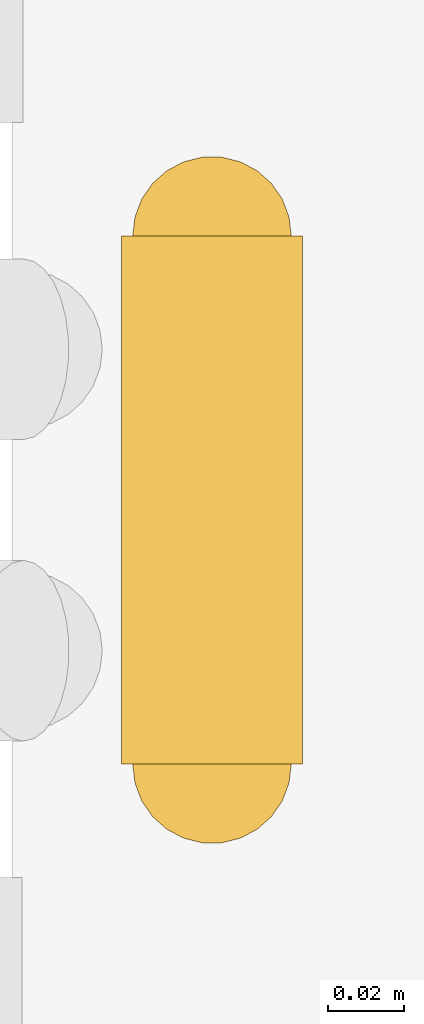
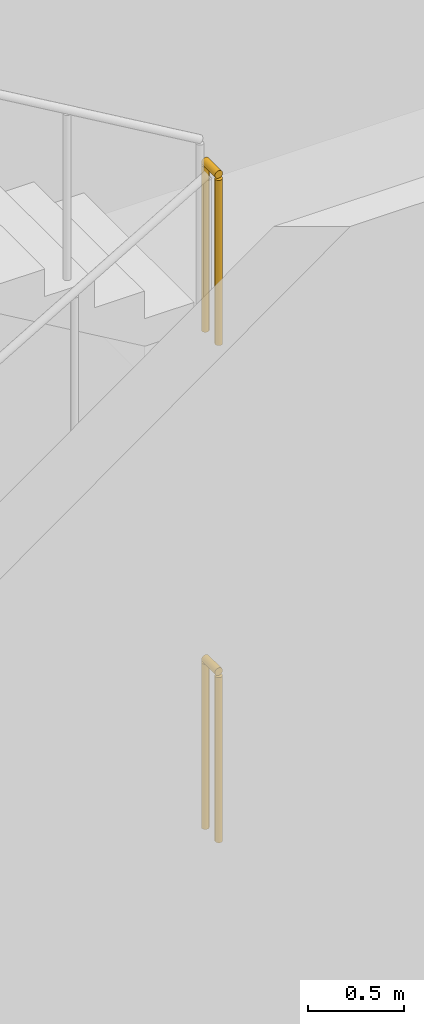
# One storey, part 103 of 114: 2 railings.
"""IFC4 building model written with IfcOpenShell, lengths in metres."""

import ifcopenshell
import ifcopenshell.guid

model = None  # the IFC model being written
_history = None  # IfcOwnerHistory: only IFC2X3 demands one
_inside = {}  # id of a spatial element -> (the spatial element, [elements in it])
_under = {}  # id of a project, library or spatial element -> (it, [spatial elements below it])
_declared = {}  # id of a project -> (the project, [libraries it declares])
_typed = {}  # id of a type object -> (the type object, [elements of that type])
_made_of = {}  # id of a material, layer set ... -> (it, [elements and type objects made of it])


def new_model(schema):
    """Start an empty IFC model of exactly this schema.

    Asked for "IFC4X3", IfcOpenShell would pick the latest addendum, in which some entities
    have other attributes; the version numbers below select the first issue.
    IFC2X3 requires an IfcOwnerHistory on every rooted entity: one is made here for all.
    """
    global model, _history
    if schema == "IFC4X3":
        model = ifcopenshell.file(schema_version=(4, 3, 0, 0))
    else:
        model = ifcopenshell.file(schema=schema)
    _inside.clear()
    _under.clear()
    _declared.clear()
    _typed.clear()
    _made_of.clear()
    _history = None
    if model.schema == "IFC2X3":
        org = make("IfcOrganization", Name="unknown")
        user = make(
            "IfcPersonAndOrganization",
            ThePerson=make("IfcPerson", FamilyName="unknown"),
            TheOrganization=org,
        )
        app = make(
            "IfcApplication",
            ApplicationDeveloper=org,
            Version="unknown",
            ApplicationFullName="unknown",
            ApplicationIdentifier="unknown",
        )
        _history = make(
            "IfcOwnerHistory",
            OwningUser=user,
            OwningApplication=app,
            ChangeAction="ADDED",
            CreationDate=0,
        )
    return model


def make(cls, **values):
    """One entity of the class cls with the attributes given. An attribute that is None is left unset."""
    return model.create_entity(
        cls, **{name: value for name, value in values.items() if value is not None}
    )


def rooted(cls, **values):
    """An entity with a GlobalId (a new one), such as an element, a storey or a relation."""
    return make(cls, GlobalId=ifcopenshell.guid.new(), OwnerHistory=_history, **values)


def si_unit(unit_type, name, prefix=None):
    """IfcSIUnit, for example si_unit("LENGTHUNIT", "METRE", prefix="MILLI")."""
    return make("IfcSIUnit", UnitType=unit_type, Prefix=prefix, Name=name)


def assignment(units):
    """IfcUnitAssignment: the units of a project."""
    return None if units is None else make("IfcUnitAssignment", Units=units)


def point(xyz):
    """IfcCartesianPoint."""
    return None if xyz is None else make("IfcCartesianPoint", Coordinates=xyz)


def direction(xyz):
    """IfcDirection."""
    return None if xyz is None else make("IfcDirection", DirectionRatios=xyz)


def frame(location, z_axis=None, x_axis=None):
    """IfcAxis2Placement3D, a coordinate frame: its origin and axes. An axis left out is left unset."""
    return make(
        "IfcAxis2Placement3D",
        Location=point(location),
        Axis=direction(z_axis),
        RefDirection=direction(x_axis),
    )


def frame_2d(location, x_axis=None):
    """IfcAxis2Placement2D, a coordinate frame in the plane: its origin and x axis."""
    return make(
        "IfcAxis2Placement2D", Location=point(location), RefDirection=direction(x_axis)
    )


def origin():
    """The frame at (0, 0, 0) with its axes left unset."""
    return frame((0.0, 0.0, 0.0))


def origin_2d():
    """The frame at (0, 0) in the plane with its x axis left unset."""
    return frame_2d((0.0, 0.0))


def place(relative_to, where):
    """IfcLocalPlacement: puts the frame where relative to a parent placement (None: the world)."""
    return make(
        "IfcLocalPlacement", PlacementRelTo=relative_to, RelativePlacement=where
    )


def context(
    kind, dimensions, precision=None, world=None, true_north=None, identifier=None
):
    """IfcGeometricRepresentationContext, for example the 3D "Model" context."""
    return make(
        "IfcGeometricRepresentationContext",
        ContextIdentifier=identifier,
        ContextType=kind,
        CoordinateSpaceDimension=dimensions,
        Precision=precision,
        WorldCoordinateSystem=world,
        TrueNorth=true_north,
    )


def subcontext(parent, identifier, kind, view, scale=None):
    """IfcGeometricRepresentationSubContext, for example "Body" below "Model"."""
    return make(
        "IfcGeometricRepresentationSubContext",
        ContextIdentifier=identifier,
        ContextType=kind,
        ParentContext=parent,
        TargetScale=scale,
        TargetView=view,
    )


def project(units=None, contexts=None):
    """IfcProject with its units and contexts."""
    return rooted(
        "IfcProject",
        Name="project",
        RepresentationContexts=contexts,
        UnitsInContext=assignment(units),
    )


def spatial(cls, under=None, at=None, **own):
    """A site, building, storey or space (cls), placed at a placement, below another one or the project."""
    s = rooted(cls, ObjectPlacement=at, **own)
    if under is not None:
        _under.setdefault(under.id(), (under, []))[1].append(s)
    return s


def profile(cls, at=None, kind="AREA", **sizes):
    """A parametric profile (cls). Its sizes go by their IFC names, for example OverallWidth=200.0."""
    return make(cls, ProfileType=kind, Position=at, **sizes)


def circle(**sizes):
    """IfcCircleProfileDef."""
    return profile("IfcCircleProfileDef", **sizes)


def extrude(swept, where, along, depth):
    """IfcExtrudedAreaSolid: the profile swept, set in the frame where, extruded along a direction by depth."""
    return make(
        "IfcExtrudedAreaSolid",
        SweptArea=swept,
        Position=where,
        ExtrudedDirection=direction(along),
        Depth=depth,
    )


def shape(context_of_items, identifier, shape_type, items):
    """IfcShapeRepresentation: the items that make up one representation, for example the "Body"."""
    return make(
        "IfcShapeRepresentation",
        ContextOfItems=context_of_items,
        RepresentationIdentifier=identifier,
        RepresentationType=shape_type,
        Items=items,
    )


def material(Name=None, Category=None):
    """IfcMaterial."""
    return make("IfcMaterial", Name=Name, Category=Category)


def made_of(thing, what):
    """Note that an element or type object is made of a material, layer set ...; save() writes the relation."""
    if what is not None:
        _made_of.setdefault(what.id(), (what, []))[1].append(thing)
    return thing


def type_object(cls, material=None, **own):
    """A type object (cls), such as IfcWallType, which elements share."""
    return made_of(rooted(cls, **own), material)


def element(
    cls,
    number,
    at=None,
    inside=None,
    cuts=None,
    type_object=None,
    material=None,
    context=None,
    identifier="Body",
    shape_type=None,
    held_by="IfcProductDefinitionShape",
    body=None,
    shapes=None,
    **own,
):
    """One element of the class cls, such as IfcWall. Its Tag is "e" and its number.

    at: its placement. inside: the storey or other place that contains it. cuts: it is an
    opening in that element (IfcRelVoidsElement). A single representation is given by context,
    identifier, shape_type and body (its items); several are given by shapes. held_by: the class
    of the entity that holds the representations. save() writes the other relations.
    """
    e = rooted(cls, Tag="e%d" % number, ObjectPlacement=at, **own)
    if body is not None:
        shapes = [shape(context, identifier, shape_type, body)]
    if shapes is not None:
        e.Representation = make(held_by, Representations=shapes)
    if inside is not None:
        _inside.setdefault(inside.id(), (inside, []))[1].append(e)
    if cuts is not None:
        rooted(
            "IfcRelVoidsElement", RelatingBuildingElement=cuts, RelatedOpeningElement=e
        )
    if type_object is not None:
        _typed.setdefault(type_object.id(), (type_object, []))[1].append(e)
    return made_of(e, material)


def aggregate(whole, parts):
    """IfcRelAggregates: a whole, such as a stair, and the parts it consists of."""
    return rooted("IfcRelAggregates", RelatingObject=whole, RelatedObjects=parts)


def save(model, path):
    """Write the relations noted so far, then the file.

    IfcRelAggregates (storeys below a building ...), IfcRelContainedInSpatialStructure (elements
    in a storey), IfcRelDefinesByType, IfcRelAssociatesMaterial and IfcRelDeclares: one each for
    every whole, place, type object, material and project.
    """
    for whole, parts in _under.values():
        aggregate(whole, parts)
    for where, things in _inside.values():
        rooted(
            "IfcRelContainedInSpatialStructure",
            RelatedElements=things,
            RelatingStructure=where,
        )
    for kind, things in _typed.values():
        rooted("IfcRelDefinesByType", RelatedObjects=things, RelatingType=kind)
    for what, things in _made_of.values():
        rooted("IfcRelAssociatesMaterial", RelatedObjects=things, RelatingMaterial=what)
    for by, libraries in _declared.values():
        rooted("IfcRelDeclares", RelatingContext=by, RelatedDefinitions=libraries)
    model.write(path)


model = new_model("IFC4")

# Units and contexts
model_context = context("Model", 3, precision=1e-05, world=origin(), true_north=direction((0.0, 1.0)))
body_context = subcontext(model_context, "Body", "Model", "MODEL_VIEW")
ifc_project = project(units=[si_unit("LENGTHUNIT", "METRE"), si_unit("AREAUNIT", "SQUARE_METRE"), si_unit("VOLUMEUNIT", "CUBIC_METRE"), si_unit("PLANEANGLEUNIT", "RADIAN"), si_unit("MASSUNIT", "GRAM", prefix="KILO")], contexts=[model_context])

# Site, building, storey
site_placement = place(None, origin())
site = spatial("IfcSite", under=ifc_project, at=site_placement, CompositionType="ELEMENT")
building_placement = place(site_placement, origin())
building = spatial("IfcBuilding", under=site, at=building_placement, Name="Almond Square Museum", CompositionType="ELEMENT")
storey_placement = place(building_placement, frame((0.0, 0.0, 10.5)))
storey = spatial("IfcBuildingStorey", under=building, at=storey_placement, Name="L02", CompositionType="ELEMENT", Elevation=10.5)

# Railings
ifc_material = material(Name="Stainless steel and laminated glass", Category="steel")
railing_type = type_object("IfcRailingType", Name="Stair guard 1100 steel and glass", PredefinedType="GUARDRAIL", material=ifc_material)
for number, where, name in (
    (1, (104.60009765625, 74.080078125, 4.75), "L02 ST-12 stair guard 6"),
    (2, (104.60009765625, 74.080078125, 7.916748046875), "L02 ST-12 stair guard 10"),
):
    element("IfcRailing", number, at=place(storey_placement, frame(where)), inside=storey, type_object=railing_type, Name=name, PredefinedType="GUARDRAIL", context=body_context, shape_type="SweptSolid", body=[
        extrude(circle(Radius=0.02392578125, at=origin_2d()), frame((0.0, 0.0, 1.076171875), z_axis=(0.0, 1.0, 0.0), x_axis=(-1.0, 0.0, 0.0)), (0.0, 0.0, 1.0), 0.139892578125),
        extrude(circle(Radius=0.02099609375, at=origin_2d()), origin(), (0.0, 0.0, 1.0), 1.052001953125),
        extrude(circle(Radius=0.02099609375, at=origin_2d()), frame((0.0, 0.139892578125, 0.0)), (0.0, 0.0, 1.0), 1.052001953125),
    ])

save(model, "model.ifc")
